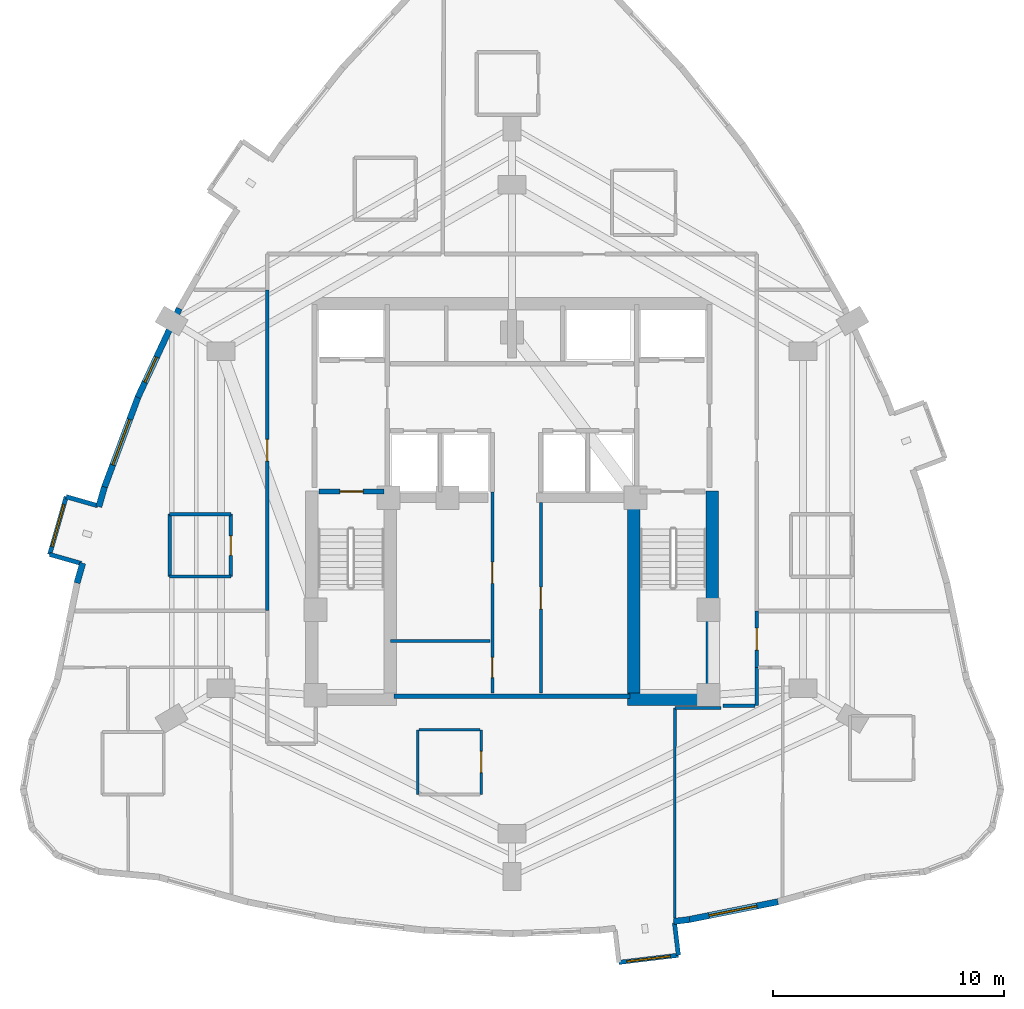
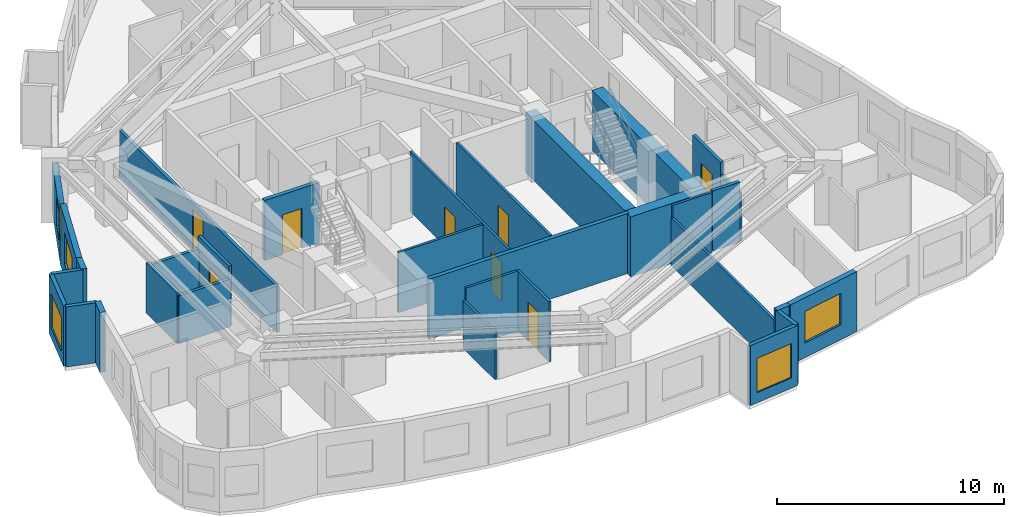
# One storey, part 4 of 9: 32 walls, 8 doors, 5 windows, 13 openings.
"""IFC4 building model written with IfcOpenShell, lengths in metres."""

from ifc_helpers import new_model, si_unit, direction, frame, frame_2d, origin, place, context, subcontext, project, spatial, rectangle, extrude, material, layer, layer_set, type_object, element, fill, save


model = new_model("IFC4")

# Units and contexts
model_context = context("Model", 3, precision=1e-05, world=origin(), true_north=direction((0.0, 1.0)))
body_context = subcontext(model_context, "Body", "Model", "MODEL_VIEW")
ifc_project = project(units=[si_unit("LENGTHUNIT", "METRE"), si_unit("AREAUNIT", "SQUARE_METRE"), si_unit("VOLUMEUNIT", "CUBIC_METRE"), si_unit("PLANEANGLEUNIT", "RADIAN"), si_unit("MASSUNIT", "GRAM", prefix="KILO")], contexts=[model_context])

# Site, building, storey
site_placement = place(None, origin())
site = spatial("IfcSite", under=ifc_project, at=site_placement, CompositionType="ELEMENT")
building_placement = place(site_placement, origin())
building = spatial("IfcBuilding", under=site, at=building_placement, Name="Miruveldt Soraemaru", CompositionType="ELEMENT")
storey_placement = place(building_placement, frame((0.0, 0.0, 170.39990234375)))
storey = spatial("IfcBuildingStorey", under=building, at=storey_placement, Name="L47", CompositionType="ELEMENT", Elevation=170.39990234375)

# Walls
ifc_material_1 = material(Name="White powder-coated aluminium EN AW-6060 T6", Category="aluminium")
ifc_layer_1 = layer(ifc_material_1, 0.18994140625, Name="White powder-coated aluminium EN AW-6060 T6", Category="aluminium")
ifc_layer_set_1 = layer_set([ifc_layer_1], Name="White powder-coated aluminium EN AW-6060 T6")
wall_type_1 = type_object("IfcWallType", Name="WALL-BAY-ALU190", PredefinedType="SOLIDWALL", material=ifc_layer_set_1)
wall_1_placement = place(storey_placement, frame((26.06591796875, 43.7041015625, 0.0), z_axis=(0.0, 0.0, 1.0), x_axis=(-0.961439844578, 0.275015318223, 0.0)))
element("IfcWall", 1, at=wall_1_placement, inside=storey, type_object=wall_type_1, Name="L47 Bay Window Side Cheek 2L", PredefinedType="SOLIDWALL", context=body_context, shape_type="SweptSolid", body=[
    extrude(rectangle(XDim=1.4248046875, YDim=0.18994140625, at=frame_2d((0.71240234375, 0.0))), origin(), (0.0, 0.0, 1.0), 3.235107421875),
])
wall_2_placement = place(storey_placement, frame((23.98095703125, 41.59619140625, 0.0), z_axis=(0.0, 0.0, 1.0), x_axis=(0.961452801096, -0.274970018845, 0.0)))
element("IfcWall", 2, at=wall_2_placement, inside=storey, type_object=wall_type_1, Name="L47 Bay Window Side Cheek 2R", PredefinedType="SOLIDWALL", context=body_context, shape_type="SweptSolid", body=[
    extrude(rectangle(XDim=1.425048828125, YDim=0.18994140625, at=frame_2d((0.71240234375, 0.0))), origin(), (0.0, 0.0, 1.0), 3.235107421875),
])

# Wall, opening, window
wall_3_placement = place(storey_placement, frame((24.696044921875, 44.095947265625, 0.0), z_axis=(0.0, 0.0, 1.0), x_axis=(-0.275031158597, -0.961435313373, 0.0)))
wall_3 = element("IfcWall", 3, at=wall_3_placement, inside=storey, type_object=wall_type_1, Name="L47 Bay Window Front Frame 2", PredefinedType="SOLIDWALL", context=body_context, shape_type="SweptSolid", body=[
    extrude(rectangle(XDim=2.60009765625, YDim=0.18994140625, at=frame_2d((1.300048828125, 0.0))), origin(), (0.0, 0.0, 1.0), 3.235107421875),
])
opening_1_placement = place(wall_3_placement, frame((0.35009765625, 0.0, 0.550048828125)))
opening_1 = element("IfcOpeningElement", 4, at=opening_1_placement, cuts=wall_3, Name="Opening WN-6", PredefinedType="OPENING", context=body_context, shape_type="SweptSolid", body=[
    extrude(rectangle(XDim=1.89990234375, YDim=1.85009765625, at=frame_2d((0.949951171875, 0.925048828125))), frame((0.0, 0.10498046875, 0.0), z_axis=(0.0, -1.0, 0.0), x_axis=(1.0, 0.0, 0.0)), (0.0, 0.0, 1.0), 0.2099609375),
])
ifc_material_2 = material(Name="Triple low-e insulated glazing", Category="glass")
window_type_1 = type_object("IfcWindowType", Name="WIN-BAYW-1900x1850", PartitioningType="SINGLE_PANEL", PredefinedType="WINDOW", material=ifc_material_2)
window_1_placement = place(opening_1_placement, origin())
window_1 = element("IfcWindow", 5, at=window_1_placement, inside=storey, type_object=window_type_1, Name="L47 Projecting Bay Window 2", OverallHeight=1.85009765625, OverallWidth=1.89990234375, PartitioningType="SINGLE_PANEL", PredefinedType="WINDOW", context=body_context, shape_type="SweptSolid", body=[
    extrude(rectangle(XDim=1.89990234375, YDim=1.85009765625, at=frame_2d((0.949951171875, 0.925048828125))), frame((0.0, 0.030029296875, 0.0), z_axis=(0.0, -1.0, 0.0), x_axis=(1.0, 0.0, 0.0)), (0.0, 0.0, 1.0), 0.06005859375),
])
fill(opening_1, window_1)

# Wall
wall_4_placement = place(storey_placement, frame((51.205810546875, 24.240478515625, 0.0), z_axis=(0.0, 0.0, 1.0), x_axis=(-0.119057405757, 0.992887372331, 0.0)))
element("IfcWall", 6, at=wall_4_placement, inside=storey, type_object=wall_type_1, Name="L47 Bay Window Side Cheek 3R", PredefinedType="SOLIDWALL", context=body_context, shape_type="SweptSolid", body=[
    extrude(rectangle(XDim=1.42529296875, YDim=0.18994140625, at=frame_2d((0.712646484375, 0.0))), origin(), (0.0, 0.0, 1.0), 3.235107421875),
])

# Wall, opening, window
wall_5_placement = place(storey_placement, frame((48.62451171875, 23.930908203125, 0.0), z_axis=(0.0, 0.0, 1.0), x_axis=(0.992885278793, 0.119074863663, 0.0)))
wall_5 = element("IfcWall", 7, at=wall_5_placement, inside=storey, type_object=wall_type_1, Name="L47 Bay Window Front Frame 3", PredefinedType="SOLIDWALL", context=body_context, shape_type="SweptSolid", body=[
    extrude(rectangle(XDim=2.599853515625, YDim=0.18994140625, at=frame_2d((1.2998046875, 0.0))), origin(), (0.0, 0.0, 1.0), 3.235107421875),
])
opening_2_placement = place(wall_5_placement, frame((0.35009765625, 0.0, 0.550048828125)))
opening_2 = element("IfcOpeningElement", 8, at=opening_2_placement, cuts=wall_5, Name="Opening WN-6", PredefinedType="OPENING", context=body_context, shape_type="SweptSolid", body=[
    extrude(rectangle(XDim=1.89990234375, YDim=1.85009765625, at=frame_2d((0.949951171875, 0.925048828125))), frame((0.0, 0.10498046875, 0.0), z_axis=(0.0, -1.0, 0.0), x_axis=(1.0, 0.0, 0.0)), (0.0, 0.0, 1.0), 0.2099609375),
])
window_2_placement = place(opening_2_placement, origin())
window_2 = element("IfcWindow", 9, at=window_2_placement, inside=storey, type_object=window_type_1, Name="L47 Projecting Bay Window 3", OverallHeight=1.85009765625, OverallWidth=1.89990234375, PartitioningType="SINGLE_PANEL", PredefinedType="WINDOW", context=body_context, shape_type="SweptSolid", body=[
    extrude(rectangle(XDim=1.89990234375, YDim=1.85009765625, at=frame_2d((0.949951171875, 0.925048828125))), frame((0.0, 0.030029296875, 0.0), z_axis=(0.0, -1.0, 0.0), x_axis=(1.0, 0.0, 0.0)), (0.0, 0.0, 1.0), 0.06005859375),
])
fill(opening_2, window_2)

# Walls
ifc_material_3 = material(Name="Concrete C70/85 (70 MPa)", Category="concrete")
ifc_layer_2 = layer(ifc_material_3, 0.550048828125, Name="Concrete C70/85 (70 MPa)", Category="concrete")
ifc_layer_set_2 = layer_set([ifc_layer_2], Name="Concrete C70/85 (70 MPa)")
wall_type_2 = type_object("IfcWallType", Name="WALL-CW-550", PredefinedType="SHEAR", material=ifc_layer_set_2)
wall_6_placement = place(storey_placement, frame((49.0, 35.324951171875, 0.0), z_axis=(0.0, 0.0, 1.0), x_axis=(1.0, 0.0, 0.0)))
element("IfcWall", 10, at=wall_6_placement, inside=storey, type_object=wall_type_2, Name="L47 Central Core Shear Wall S2", PredefinedType="SHEAR", context=body_context, shape_type="SweptSolid", body=[
    extrude(rectangle(XDim=3.949951171875, YDim=0.550048828125, at=frame_2d((1.97509765625, 0.0))), origin(), (0.0, 0.0, 1.0), 3.235107421875),
])
wall_7_placement = place(storey_placement, frame((52.675048828125, 35.050048828125, 0.0), z_axis=(0.0, 0.0, 1.0), x_axis=(0.0, 1.0, 0.0)))
element("IfcWall", 11, at=wall_7_placement, inside=storey, type_object=wall_type_2, Name="L47 Central Core Shear Wall E1", PredefinedType="SHEAR", context=body_context, shape_type="SweptSolid", body=[
    extrude(rectangle(XDim=9.300048828125, YDim=0.550048828125, at=frame_2d((4.64990234375, 0.0))), origin(), (0.0, 0.0, 1.0), 3.235107421875),
])
wall_8_placement = place(storey_placement, frame((49.27490234375, 35.39990234375, 0.0), z_axis=(0.0, 0.0, 1.0), x_axis=(0.0, 1.0, 0.0)))
element("IfcWall", 12, at=wall_8_placement, inside=storey, type_object=wall_type_2, Name="L47 Central Core Shear Wall SE-INT", PredefinedType="SHEAR", context=body_context, shape_type="SweptSolid", body=[
    extrude(rectangle(XDim=8.9501953125, YDim=0.550048828125, at=frame_2d((4.47509765625, 0.0))), origin(), (0.0, 0.0, 1.0), 3.235107421875),
])

# Wall, opening, window
ifc_material_4 = material(Name="Precast concrete C45/55 (45 MPa)", Category="concrete")
ifc_layer_3 = layer(ifc_material_4, 0.27001953125, Name="Precast concrete C45/55 (45 MPa)", Category="concrete")
ifc_layer_set_3 = layer_set([ifc_layer_3], Name="Precast concrete C45/55 (45 MPa)")
wall_type_3 = type_object("IfcWallType", Name="WALL-EXT-PC270", PredefinedType="SOLIDWALL", material=ifc_layer_set_3)
wall_9_placement = place(storey_placement, frame((29.59375, 52.245361328125, 0.0), z_axis=(0.0, 0.0, 1.0), x_axis=(-0.422331680963, -0.906441366694, 0.0)))
wall_9 = element("IfcWall", 13, at=wall_9_placement, inside=storey, type_object=wall_type_3, Name="L47 Precast Concrete Facade Wall 11", PredefinedType="SOLIDWALL", context=body_context, shape_type="SweptSolid", body=[
    extrude(rectangle(XDim=4.248291015625, YDim=0.27001953125, at=frame_2d((2.1240234375, 0.0))), origin(), (0.0, 0.0, 1.0), 2.572998046875),
])
opening_3_placement = place(wall_9_placement, frame((2.323974609375, 0.0, 0.780029296875)))
opening_3 = element("IfcOpeningElement", 14, at=opening_3_placement, cuts=wall_9, Name="Opening WN-4", PredefinedType="OPENING", context=body_context, shape_type="SweptSolid", body=[
    extrude(rectangle(XDim=1.199951171875, YDim=1.550048828125, at=frame_2d((0.60009765625, 0.77490234375))), frame((0.0, 0.14501953125, 0.0), z_axis=(0.0, -1.0, 0.0), x_axis=(1.0, 0.0, 0.0)), (0.0, 0.0, 1.0), 0.2900390625),
])
window_type_2 = type_object("IfcWindowType", Name="WIN-PUNCH-1200x1550", PartitioningType="SINGLE_PANEL", PredefinedType="WINDOW", material=ifc_material_2)
window_3_placement = place(opening_3_placement, origin())
window_3 = element("IfcWindow", 15, at=window_3_placement, inside=storey, type_object=window_type_2, Name="L47 Punched Triple-Glazed Window 11.1", OverallHeight=1.550048828125, OverallWidth=1.199951171875, PartitioningType="SINGLE_PANEL", PredefinedType="WINDOW", context=body_context, shape_type="SweptSolid", body=[
    extrude(rectangle(XDim=1.199951171875, YDim=1.550048828125, at=frame_2d((0.60009765625, 0.77490234375))), frame((0.0, 0.030029296875, 0.0), z_axis=(0.0, -1.0, 0.0), x_axis=(1.0, 0.0, 0.0)), (0.0, 0.0, 1.0), 0.06005859375),
])
fill(opening_3, window_3)

wall_10_placement = place(storey_placement, frame((27.82666015625, 48.458984375, 0.0), z_axis=(0.0, 0.0, 1.0), x_axis=(-0.349019533754, -0.937115449162, 0.0)))
wall_10 = element("IfcWall", 16, at=wall_10_placement, inside=storey, type_object=wall_type_3, Name="L47 Precast Concrete Facade Wall 12", PredefinedType="SOLIDWALL", context=body_context, shape_type="SweptSolid", body=[
    extrude(rectangle(XDim=4.274658203125, YDim=0.27001953125, at=frame_2d((2.13720703125, 0.0))), origin(), (0.0, 0.0, 1.0), 3.235107421875),
])
opening_4_placement = place(wall_10_placement, frame((1.0869140625, 0.0, 0.800048828125)))
opening_4 = element("IfcOpeningElement", 17, at=opening_4_placement, cuts=wall_10, Name="Opening WN-1", PredefinedType="OPENING", context=body_context, shape_type="SweptSolid", body=[
    extrude(rectangle(XDim=2.10009765625, YDim=1.699951171875, at=frame_2d((1.050048828125, 0.85009765625))), frame((0.0, 0.14501953125, 0.0), z_axis=(0.0, -1.0, 0.0), x_axis=(1.0, 0.0, 0.0)), (0.0, 0.0, 1.0), 0.2900390625),
])
window_type_3 = type_object("IfcWindowType", Name="WIN-PUNCH-2100x1700", PartitioningType="SINGLE_PANEL", PredefinedType="WINDOW", material=ifc_material_2)
window_4_placement = place(opening_4_placement, origin())
window_4 = element("IfcWindow", 18, at=window_4_placement, inside=storey, type_object=window_type_3, Name="L47 Punched Triple-Glazed Window 12.1", OverallHeight=1.699951171875, OverallWidth=2.10009765625, PartitioningType="SINGLE_PANEL", PredefinedType="WINDOW", context=body_context, shape_type="SweptSolid", body=[
    extrude(rectangle(XDim=2.10009765625, YDim=1.699951171875, at=frame_2d((1.050048828125, 0.85009765625))), frame((0.0, 0.030029296875, 0.0), z_axis=(0.0, -1.0, 0.0), x_axis=(1.0, 0.0, 0.0)), (0.0, 0.0, 1.0), 0.06005859375),
])
fill(opening_4, window_4)

# Walls
for number, where, z_axis, x_axis, name in (
    (19, (26.3564453125, 44.51953125, 0.0), (0.0, 0.0, 1.0), (-0.275045780768, -0.961431130389, 0.0), "L47 Precast Pier Wall 13A"),
    (20, (25.412109375, 41.218017578125, 0.0), (0.0, 0.0, 1.0), (-0.274793281104, -0.961503329511, 0.0), "L47 Precast Pier Wall 13B"),
):
    element("IfcWall", number, at=place(storey_placement, frame(where, z_axis=z_axis, x_axis=x_axis)), inside=storey, type_object=wall_type_3, Name=name, PredefinedType="SOLIDWALL", context=body_context, shape_type="SweptSolid", body=[
        extrude(rectangle(XDim=0.893798828125, YDim=0.27001953125, at=frame_2d((0.44677734375, 0.0))), origin(), (0.0, 0.0, 1.0), 3.235107421875),
    ])
wall_11_placement = place(storey_placement, frame((50.999755859375, 25.706298828125, 0.0), z_axis=(0.0, 0.0, 1.0), x_axis=(0.992858455282, 0.119298314215, 0.0)))
element("IfcWall", 21, at=wall_11_placement, inside=storey, type_object=wall_type_3, Name="L47 Precast Pier Wall 26B", PredefinedType="SOLIDWALL", context=body_context, shape_type="SweptSolid", body=[
    extrude(rectangle(XDim=0.691650390625, YDim=0.27001953125, at=frame_2d((0.345703125, 0.0))), origin(), (0.0, 0.0, 1.0), 3.235107421875),
])

# Wall, opening, window
wall_12_placement = place(storey_placement, frame((51.617431640625, 25.77783203125, 0.0), z_axis=(0.0, 0.0, 1.0), x_axis=(0.980573582327, 0.196151598621, 0.0)))
wall_12 = element("IfcWall", 22, at=wall_12_placement, inside=storey, type_object=wall_type_3, Name="L47 Precast Concrete Facade Wall 27", PredefinedType="SOLIDWALL", context=body_context, shape_type="SweptSolid", body=[
    extrude(rectangle(XDim=3.9716796875, YDim=0.27001953125, at=frame_2d((1.98583984375, 0.0))), origin(), (0.0, 0.0, 1.0), 3.235107421875),
])
opening_5_placement = place(wall_12_placement, frame((0.93408203125, 0.0, 0.800048828125)))
opening_5 = element("IfcOpeningElement", 23, at=opening_5_placement, cuts=wall_12, Name="Opening WN-1", PredefinedType="OPENING", context=body_context, shape_type="SweptSolid", body=[
    extrude(rectangle(XDim=2.10009765625, YDim=1.699951171875, at=frame_2d((1.050048828125, 0.85009765625))), frame((0.0, 0.14501953125, 0.0), z_axis=(0.0, -1.0, 0.0), x_axis=(1.0, 0.0, 0.0)), (0.0, 0.0, 1.0), 0.2900390625),
])
window_5_placement = place(opening_5_placement, origin())
window_5 = element("IfcWindow", 24, at=window_5_placement, inside=storey, type_object=window_type_3, Name="L47 Punched Triple-Glazed Window 27.1", OverallHeight=1.699951171875, OverallWidth=2.10009765625, PartitioningType="SINGLE_PANEL", PredefinedType="WINDOW", context=body_context, shape_type="SweptSolid", body=[
    extrude(rectangle(XDim=2.10009765625, YDim=1.699951171875, at=frame_2d((1.050048828125, 0.85009765625))), frame((0.0, 0.030029296875, 0.0), z_axis=(0.0, -1.0, 0.0), x_axis=(1.0, 0.0, 0.0)), (0.0, 0.0, 1.0), 0.06005859375),
])
fill(opening_5, window_5)

# Wall, openings, doors
ifc_material_5 = material(Name="Gypsum plasterboard lining", Category="gypsum")
ifc_layer_4 = layer(ifc_material_5, 0.1201171875, Name="Gypsum plasterboard lining", Category="gypsum")
ifc_layer_set_4 = layer_set([ifc_layer_4], Name="Gypsum plasterboard lining")
wall_type_4 = type_object("IfcWallType", Name="WALL-INT-P120", PredefinedType="PARTITIONING", material=ifc_layer_set_4)
wall_13_placement = place(storey_placement, frame((43.14990234375, 35.60009765625, 0.0), z_axis=(0.0, 0.0, 1.0), x_axis=(0.0, 1.0, 0.0)))
wall_13 = element("IfcWall", 25, at=wall_13_placement, inside=storey, type_object=wall_type_4, Name="L47 Core Compartment Wall SP-WL", PredefinedType="PARTITIONING", context=body_context, shape_type="SweptSolid", body=[
    extrude(rectangle(XDim=8.699951171875, YDim=0.1201171875, at=frame_2d((4.35009765625, 0.0))), origin(), (0.0, 0.0, 1.0), 3.235107421875),
])
opening_6_placement = place(wall_13_placement, frame((0.659912109375, 0.0, 0.0)))
opening_6 = element("IfcOpeningElement", 26, at=opening_6_placement, cuts=wall_13, Name="Opening D4", PredefinedType="OPENING", context=body_context, shape_type="SweptSolid", body=[
    extrude(rectangle(XDim=0.8798828125, YDim=2.10009765625, at=frame_2d((0.43994140625, 1.050048828125))), frame((0.0, 0.070068359375, 0.0), z_axis=(0.0, -1.0, 0.0), x_axis=(1.0, 0.0, 0.0)), (0.0, 0.0, 1.0), 0.14013671875),
])
opening_7_placement = place(wall_13_placement, frame((4.739990234375, 0.0, 0.0)))
opening_7 = element("IfcOpeningElement", 27, at=opening_7_placement, cuts=wall_13, Name="Opening D3A", PredefinedType="OPENING", context=body_context, shape_type="SweptSolid", body=[
    extrude(rectangle(XDim=0.919921875, YDim=2.10009765625, at=frame_2d((0.4599609375, 1.050048828125))), frame((0.0, 0.070068359375, 0.0), z_axis=(0.0, -1.0, 0.0), x_axis=(1.0, 0.0, 0.0)), (0.0, 0.0, 1.0), 0.14013671875),
])
ifc_material_6 = material(Name="Anodised aluminium EN AW-6063 T6", Category="aluminium")
door_type_1 = type_object("IfcDoorType", Name="DOOR-INT-880", OperationType="NOTDEFINED", PredefinedType="DOOR", material=ifc_material_6)
door_1_placement = place(opening_6_placement, origin())
door_1 = element("IfcDoor", 28, at=door_1_placement, inside=storey, type_object=door_type_1, Name="L47 Fire Door", OperationType="SINGLE_SWING_LEFT", OverallHeight=2.10009765625, OverallWidth=0.8798828125, PredefinedType="DOOR", context=body_context, shape_type="SweptSolid", body=[
    extrude(rectangle(XDim=0.8798828125, YDim=2.10009765625, at=frame_2d((0.43994140625, 1.050048828125))), frame((0.0, 0.02490234375, 0.0), z_axis=(0.0, -1.0, 0.0), x_axis=(1.0, 0.0, 0.0)), (0.0, 0.0, 1.0), 0.050048828125),
])
fill(opening_6, door_1)
door_type_2 = type_object("IfcDoorType", Name="DOOR-INT-920", OperationType="NOTDEFINED", PredefinedType="DOOR", material=ifc_material_6)
door_2_placement = place(opening_7_placement, origin())
door_2 = element("IfcDoor", 29, at=door_2_placement, inside=storey, type_object=door_type_2, Name="L47 Fire Door", OperationType="SINGLE_SWING_LEFT", OverallHeight=2.10009765625, OverallWidth=0.919921875, PredefinedType="DOOR", context=body_context, shape_type="SweptSolid", body=[
    extrude(rectangle(XDim=0.919921875, YDim=2.10009765625, at=frame_2d((0.4599609375, 1.050048828125))), frame((0.0, 0.02490234375, 0.0), z_axis=(0.0, -1.0, 0.0), x_axis=(1.0, 0.0, 0.0)), (0.0, 0.0, 1.0), 0.050048828125),
])
fill(opening_7, door_2)

# Wall, opening, door
wall_14_placement = place(storey_placement, frame((45.25, 35.60009765625, 0.0), z_axis=(0.0, 0.0, 1.0), x_axis=(0.0, 1.0, 0.0)))
wall_14 = element("IfcWall", 30, at=wall_14_placement, inside=storey, type_object=wall_type_4, Name="L47 Core Compartment Wall SP-EL", PredefinedType="PARTITIONING", context=body_context, shape_type="SweptSolid", body=[
    extrude(rectangle(XDim=8.25, YDim=0.1201171875, at=frame_2d((4.125, 0.0))), origin(), (0.0, 0.0, 1.0), 3.235107421875),
])
opening_8_placement = place(wall_14_placement, frame((3.625, 0.0, 0.0)))
opening_8 = element("IfcOpeningElement", 31, at=opening_8_placement, cuts=wall_14, Name="Opening D2", PredefinedType="OPENING", context=body_context, shape_type="SweptSolid", body=[
    extrude(rectangle(XDim=0.949951171875, YDim=2.10009765625, at=frame_2d((0.47509765625, 1.050048828125))), frame((0.0, 0.070068359375, 0.0), z_axis=(0.0, -1.0, 0.0), x_axis=(1.0, 0.0, 0.0)), (0.0, 0.0, 1.0), 0.14013671875),
])
door_type_3 = type_object("IfcDoorType", Name="DOOR-INT-950", OperationType="NOTDEFINED", PredefinedType="DOOR", material=ifc_material_6)
door_3_placement = place(opening_8_placement, origin())
door_3 = element("IfcDoor", 32, at=door_3_placement, inside=storey, type_object=door_type_3, Name="L47 Fire Door", OperationType="SINGLE_SWING_LEFT", OverallHeight=2.10009765625, OverallWidth=0.949951171875, PredefinedType="DOOR", context=body_context, shape_type="SweptSolid", body=[
    extrude(rectangle(XDim=0.949951171875, YDim=2.10009765625, at=frame_2d((0.47509765625, 1.050048828125))), frame((0.0, 0.02490234375, 0.0), z_axis=(0.0, -1.0, 0.0), x_axis=(1.0, 0.0, 0.0)), (0.0, 0.0, 1.0), 0.050048828125),
])
fill(opening_8, door_3)

wall_15_placement = place(storey_placement, frame((42.6669921875, 31.205078125, 0.0), z_axis=(0.0, 0.0, 1.0), x_axis=(0.0, 1.0, 0.0)))
wall_15 = element("IfcWall", 33, at=wall_15_placement, inside=storey, type_object=wall_type_4, Name="L47 Partition Wall 26", PredefinedType="PARTITIONING", context=body_context, shape_type="SweptSolid", body=[
    extrude(rectangle(XDim=2.7998046875, YDim=0.1201171875, at=frame_2d((1.39990234375, 0.0))), origin(), (0.0, 0.0, 1.0), 3.235107421875),
])
opening_9_placement = place(wall_15_placement, frame((0.93994140625, 0.0, 0.0)))
opening_9 = element("IfcOpeningElement", 34, at=opening_9_placement, cuts=wall_15, Name="Opening D3A", PredefinedType="OPENING", context=body_context, shape_type="SweptSolid", body=[
    extrude(rectangle(XDim=0.919921875, YDim=2.10009765625, at=frame_2d((0.4599609375, 1.050048828125))), frame((0.0, 0.070068359375, 0.0), z_axis=(0.0, -1.0, 0.0), x_axis=(1.0, 0.0, 0.0)), (0.0, 0.0, 1.0), 0.14013671875),
])
door_4_placement = place(opening_9_placement, origin())
door_4 = element("IfcDoor", 35, at=door_4_placement, inside=storey, type_object=door_type_2, Name="L47 Unit 4703 KIT Door", OperationType="SINGLE_SWING_RIGHT", OverallHeight=2.10009765625, OverallWidth=0.919921875, PredefinedType="DOOR", context=body_context, shape_type="SweptSolid", body=[
    extrude(rectangle(XDim=0.919921875, YDim=2.10009765625, at=frame_2d((0.4599609375, 1.050048828125))), frame((0.0, 0.02490234375, 0.0), z_axis=(0.0, -1.0, 0.0), x_axis=(1.0, 0.0, 0.0)), (0.0, 0.0, 1.0), 0.050048828125),
])
fill(opening_9, door_4)

# Walls
wall_16_placement = place(storey_placement, frame((51.044921875, 25.863037109375, 0.0), z_axis=(0.0, 0.0, 1.0), x_axis=(0.000886619748, 0.999999606953, 0.0)))
element("IfcWall", 36, at=wall_16_placement, inside=storey, type_object=wall_type_4, Name="L47 Partition Wall 59", PredefinedType="PARTITIONING", context=body_context, shape_type="SweptSolid", body=[
    extrude(rectangle(XDim=9.0869140625, YDim=0.1201171875, at=frame_2d((4.54345703125, 0.0))), origin(), (0.0, 0.0, 1.0), 2.572998046875),
])
wall_17_placement = place(storey_placement, frame((38.75, 37.85009765625, 0.0), z_axis=(0.0, 0.0, 1.0), x_axis=(1.0, 0.0, 0.0)))
element("IfcWall", 37, at=wall_17_placement, inside=storey, type_object=wall_type_4, Name="L47 Core Compartment Wall RL-W1H", PredefinedType="PARTITIONING", context=body_context, shape_type="SweptSolid", body=[
    extrude(rectangle(XDim=4.300048828125, YDim=0.1201171875, at=frame_2d((2.14990234375, 0.0))), origin(), (0.0, 0.0, 1.0), 3.235107421875),
])
wall_18_placement = place(storey_placement, frame((39.9169921875, 34.0048828125, 0.0), z_axis=(0.0, 0.0, 1.0), x_axis=(0.0, -1.0, 0.0)))
element("IfcWall", 38, at=wall_18_placement, inside=storey, type_object=wall_type_4, Name="L47 Partition Wall 28", PredefinedType="PARTITIONING", context=body_context, shape_type="SweptSolid", body=[
    extrude(rectangle(XDim=2.7998046875, YDim=0.1201171875, at=frame_2d((1.39990234375, 0.0))), origin(), (0.0, 0.0, 1.0), 2.572998046875),
])
wall_19_placement = place(storey_placement, frame((42.60693359375, 34.0048828125, 0.0), z_axis=(0.0, 0.0, 1.0), x_axis=(-1.0, 0.0, 0.0)))
element("IfcWall", 39, at=wall_19_placement, inside=storey, type_object=wall_type_4, Name="L47 Partition Wall 27", PredefinedType="PARTITIONING", context=body_context, shape_type="SweptSolid", body=[
    extrude(rectangle(XDim=2.6298828125, YDim=0.1201171875, at=frame_2d((1.31494140625, 0.0))), origin(), (0.0, 0.0, 1.0), 3.235107421875),
])
wall_20_placement = place(storey_placement, frame((51.052978515625, 34.949951171875, 0.0), z_axis=(0.0, 0.0, 1.0), x_axis=(1.0, 0.0, 0.0)))
element("IfcWall", 40, at=wall_20_placement, inside=storey, type_object=wall_type_4, Name="L47 Partition Wall 60", PredefinedType="PARTITIONING", context=body_context, shape_type="SweptSolid", body=[
    extrude(rectangle(XDim=1.9970703125, YDim=0.1201171875, at=frame_2d((0.99853515625, 0.0))), origin(), (0.0, 0.0, 1.0), 3.235107421875),
])

# Wall, opening, door
ifc_layer_5 = layer(ifc_material_5, 0.14990234375, Name="Gypsum plasterboard lining", Category="gypsum")
ifc_layer_set_5 = layer_set([ifc_layer_5], Name="Gypsum plasterboard lining")
wall_type_5 = type_object("IfcWallType", Name="WALL-INT-PLUMB", PredefinedType="PLUMBINGWALL", material=ifc_layer_set_5)
wall_21_placement = place(storey_placement, frame((31.824951171875, 40.64111328125, 0.0), z_axis=(0.0, 0.0, 1.0), x_axis=(0.0, 1.0, 0.0)))
wall_21 = element("IfcWall", 41, at=wall_21_placement, inside=storey, type_object=wall_type_5, Name="L47 Partition Wall 36", PredefinedType="PLUMBINGWALL", context=body_context, shape_type="SweptSolid", body=[
    extrude(rectangle(XDim=2.699951171875, YDim=0.14990234375, at=frame_2d((1.35009765625, 0.0))), origin(), (0.0, 0.0, 1.0), 3.235107421875),
])
opening_10_placement = place(wall_21_placement, frame((0.909912109375, 0.0, 0.0)))
opening_10 = element("IfcOpeningElement", 42, at=opening_10_placement, cuts=wall_21, Name="Opening FD3", PredefinedType="OPENING", context=body_context, shape_type="SweptSolid", body=[
    extrude(rectangle(XDim=0.85009765625, YDim=2.10009765625, at=frame_2d((0.425048828125, 1.050048828125))), frame((0.0, 0.0849609375, 0.0), z_axis=(0.0, -1.0, 0.0), x_axis=(1.0, 0.0, 0.0)), (0.0, 0.0, 1.0), 0.169921875),
])
door_type_4 = type_object("IfcDoorType", Name="DOOR-FD3-850", OperationType="NOTDEFINED", PredefinedType="DOOR", material=ifc_material_6)
door_5_placement = place(opening_10_placement, origin())
door_5 = element("IfcDoor", 43, at=door_5_placement, inside=storey, type_object=door_type_4, Name="L47 Unit CL04 BTH Door", OperationType="SINGLE_SWING_RIGHT", OverallHeight=2.10009765625, OverallWidth=0.85009765625, PredefinedType="DOOR", context=body_context, shape_type="SweptSolid", body=[
    extrude(rectangle(XDim=0.85009765625, YDim=2.10009765625, at=frame_2d((0.425048828125, 1.050048828125))), frame((0.0, 0.02490234375, 0.0), z_axis=(0.0, -1.0, 0.0), x_axis=(1.0, 0.0, 0.0)), (0.0, 0.0, 1.0), 0.050048828125),
])
fill(opening_10, door_5)

# Walls
wall_22_placement = place(storey_placement, frame((29.175048828125, 43.341064453125, 0.0), z_axis=(0.0, 0.0, 1.0), x_axis=(0.0, -1.0, 0.0)))
element("IfcWall", 44, at=wall_22_placement, inside=storey, type_object=wall_type_5, Name="L47 Partition Wall 38", PredefinedType="PLUMBINGWALL", context=body_context, shape_type="SweptSolid", body=[
    extrude(rectangle(XDim=2.699951171875, YDim=0.14990234375, at=frame_2d((1.35009765625, 0.0))), origin(), (0.0, 0.0, 1.0), 2.72314453125),
])
for number, where, z_axis, x_axis, name in (
    (45, (31.824951171875, 43.341064453125, 0.0), (0.0, 0.0, 1.0), (-1.0, 0.0, 0.0), "L47 Partition Wall 37"),
    (46, (29.175048828125, 40.64111328125, 0.0), (0.0, 0.0, 1.0), (1.0, 0.0, 0.0), "L47 Partition Wall 39"),
):
    element("IfcWall", number, at=place(storey_placement, frame(where, z_axis=z_axis, x_axis=x_axis)), inside=storey, type_object=wall_type_5, Name=name, PredefinedType="PLUMBINGWALL", context=body_context, shape_type="SweptSolid", body=[
        extrude(rectangle(XDim=2.64990234375, YDim=0.14990234375, at=frame_2d((1.324951171875, 0.0))), origin(), (0.0, 0.0, 1.0), 2.572998046875),
    ])

# Wall, opening, door
ifc_material_7 = material(Name="Concrete C40/50 (40 MPa)", Category="concrete")
ifc_layer_6 = layer(ifc_material_7, 0.159912109375, Name="Concrete C40/50 (40 MPa)", Category="concrete")
ifc_layer_set_6 = layer_set([ifc_layer_6], Name="Concrete C40/50 (40 MPa)")
wall_type_6 = type_object("IfcWallType", Name="WALL-INT-RC160", PredefinedType="SOLIDWALL", material=ifc_layer_set_6)
wall_23_placement = place(storey_placement, frame((33.39990234375, 53.050048828125, 0.0), z_axis=(0.0, 0.0, 1.0), x_axis=(0.0, -1.0, 0.0)))
wall_23 = element("IfcWall", 47, at=wall_23_placement, inside=storey, type_object=wall_type_6, Name="L47 Partition Wall 8", PredefinedType="SOLIDWALL", context=body_context, shape_type="SweptSolid", body=[
    extrude(rectangle(XDim=13.88916015625, YDim=0.159912109375, at=frame_2d((6.944580078125, 0.0))), origin(), (0.0, 0.0, 1.0), 2.47314453125),
])
opening_11_placement = place(wall_23_placement, frame((6.468994140625, 0.0, 0.0)))
opening_11 = element("IfcOpeningElement", 48, at=opening_11_placement, cuts=wall_23, Name="Opening FD2", PredefinedType="OPENING", context=body_context, shape_type="SweptSolid", body=[
    extrude(rectangle(XDim=0.949951171875, YDim=2.14990234375, at=frame_2d((0.47509765625, 1.074951171875))), frame((0.0, 0.08984375, 0.0), z_axis=(0.0, -1.0, 0.0), x_axis=(1.0, 0.0, 0.0)), (0.0, 0.0, 1.0), 0.179931640625),
])
door_type_5 = type_object("IfcDoorType", Name="DOOR-FD2-950", OperationType="NOTDEFINED", PredefinedType="DOOR", material=ifc_material_6)
door_6_placement = place(opening_11_placement, origin())
door_6 = element("IfcDoor", 49, at=door_6_placement, inside=storey, type_object=door_type_5, Name="L47 Unit CL04 Entrance Fire Door", OperationType="SINGLE_SWING_LEFT", OverallHeight=2.14990234375, OverallWidth=0.949951171875, PredefinedType="DOOR", context=body_context, shape_type="SweptSolid", body=[
    extrude(rectangle(XDim=0.949951171875, YDim=2.14990234375, at=frame_2d((0.47509765625, 1.074951171875))), frame((0.0, 0.02490234375, 0.0), z_axis=(0.0, -1.0, 0.0), x_axis=(1.0, 0.0, 0.0)), (0.0, 0.0, 1.0), 0.050048828125),
])
fill(opening_11, door_6)

wall_24_placement = place(storey_placement, frame((54.60009765625, 36.7041015625, 0.0), z_axis=(0.0, 0.0, 1.0), x_axis=(0.0, 1.0, 0.0)))
wall_24 = element("IfcWall", 50, at=wall_24_placement, inside=storey, type_object=wall_type_6, Name="L47 Partition Wall 9", PredefinedType="SOLIDWALL", context=body_context, shape_type="SweptSolid", body=[
    extrude(rectangle(XDim=2.44384765625, YDim=0.159912109375, at=frame_2d((1.221923828125, 0.0))), origin(), (0.0, 0.0, 1.0), 3.235107421875),
])
opening_12_placement = place(wall_24_placement, frame((0.7470703125, 0.0, 0.0)))
opening_12 = element("IfcOpeningElement", 51, at=opening_12_placement, cuts=wall_24, Name="Opening FD2", PredefinedType="OPENING", context=body_context, shape_type="SweptSolid", body=[
    extrude(rectangle(XDim=0.949951171875, YDim=2.14990234375, at=frame_2d((0.47509765625, 1.074951171875))), frame((0.0, 0.08984375, 0.0), z_axis=(0.0, -1.0, 0.0), x_axis=(1.0, 0.0, 0.0)), (0.0, 0.0, 1.0), 0.179931640625),
])
door_7_placement = place(opening_12_placement, origin())
door_7 = element("IfcDoor", 52, at=door_7_placement, inside=storey, type_object=door_type_5, Name="L47 Unit 4705 Entrance Fire Door", OperationType="SINGLE_SWING_LEFT", OverallHeight=2.14990234375, OverallWidth=0.949951171875, PredefinedType="DOOR", context=body_context, shape_type="SweptSolid", body=[
    extrude(rectangle(XDim=0.949951171875, YDim=2.14990234375, at=frame_2d((0.47509765625, 1.074951171875))), frame((0.0, 0.02490234375, 0.0), z_axis=(0.0, -1.0, 0.0), x_axis=(1.0, 0.0, 0.0)), (0.0, 0.0, 1.0), 0.050048828125),
])
fill(opening_12, door_7)

# Walls
wall_25_placement = place(storey_placement, frame((54.60009765625, 35.050048828125, 0.0), z_axis=(0.0, 0.0, 1.0), x_axis=(0.0, 1.0, 0.0)))
element("IfcWall", 53, at=wall_25_placement, inside=storey, type_object=wall_type_6, Name="L47 Partition Wall 11", PredefinedType="SOLIDWALL", context=body_context, shape_type="SweptSolid", body=[
    extrude(rectangle(XDim=1.65087890625, YDim=0.159912109375, at=frame_2d((0.825439453125, 0.0))), origin(), (0.0, 0.0, 1.0), 2.572998046875),
])
wall_26_placement = place(storey_placement, frame((53.1298828125, 35.050048828125, 0.0), z_axis=(0.0, 0.0, 1.0), x_axis=(1.0, 0.0, 0.0)))
element("IfcWall", 54, at=wall_26_placement, inside=storey, type_object=wall_type_6, Name="L47 Partition Wall 10", PredefinedType="SOLIDWALL", context=body_context, shape_type="SweptSolid", body=[
    extrude(rectangle(XDim=1.39013671875, YDim=0.159912109375, at=frame_2d((0.695068359375, 0.0))), origin(), (0.0, 0.0, 1.0), 3.235107421875),
])

# Wall, opening, door
ifc_layer_7 = layer(ifc_material_7, 0.199951171875, Name="Concrete C40/50 (40 MPa)", Category="concrete")
ifc_layer_set_7 = layer_set([ifc_layer_7], Name="Concrete C40/50 (40 MPa)")
wall_type_7 = type_object("IfcWallType", Name="WALL-INT-RC200", PredefinedType="SOLIDWALL", material=ifc_layer_set_7)
wall_27_placement = place(storey_placement, frame((35.64990234375, 44.320068359375, 0.0), z_axis=(0.0, 0.0, 1.0), x_axis=(1.0, 0.0, 0.0)))
wall_27 = element("IfcWall", 55, at=wall_27_placement, inside=storey, type_object=wall_type_7, Name="L47 Core Compartment Wall ST1-N", PredefinedType="SOLIDWALL", context=body_context, shape_type="SweptSolid", body=[
    extrude(rectangle(XDim=2.800048828125, YDim=0.199951171875, at=frame_2d((1.39990234375, 0.0))), origin(), (0.0, 0.0, 1.0), 3.235107421875),
])
opening_13_placement = place(wall_27_placement, frame((0.89990234375, 0.0, 0.0)))
opening_13 = element("IfcOpeningElement", 56, at=opening_13_placement, cuts=wall_27, Name="Opening FD1", PredefinedType="OPENING", context=body_context, shape_type="SweptSolid", body=[
    extrude(rectangle(XDim=1.0, YDim=2.14990234375, at=frame_2d((0.5, 1.074951171875))), frame((0.0, 0.10986328125, 0.0), z_axis=(0.0, -1.0, 0.0), x_axis=(1.0, 0.0, 0.0)), (0.0, 0.0, 1.0), 0.219970703125),
])
door_type_6 = type_object("IfcDoorType", Name="DOOR-FD1-1000", OperationType="NOTDEFINED", PredefinedType="DOOR", material=ifc_material_6)
door_8_placement = place(opening_13_placement, frame((1.0, 0.0, 0.0), z_axis=(0.0, 0.0, 1.0), x_axis=(-1.0, 0.0, 0.0)))
door_8 = element("IfcDoor", 57, at=door_8_placement, inside=storey, type_object=door_type_6, Name="L47 Stair ST-1 Fire Door", OperationType="SINGLE_SWING_LEFT", OverallHeight=2.14990234375, OverallWidth=1.0, PredefinedType="DOOR", context=body_context, shape_type="SweptSolid", body=[
    extrude(rectangle(XDim=1.0, YDim=2.14990234375, at=frame_2d((0.5, 1.074951171875))), frame((0.0, 0.02490234375, 0.0), z_axis=(0.0, -1.0, 0.0), x_axis=(1.0, 0.0, 0.0)), (0.0, 0.0, 1.0), 0.050048828125),
])
fill(opening_13, door_8)

# Wall
wall_28_placement = place(storey_placement, frame((38.89990234375, 35.449951171875, 0.0), z_axis=(0.0, 0.0, 1.0), x_axis=(1.0, 0.0, 0.0)))
element("IfcWall", 58, at=wall_28_placement, inside=storey, type_object=wall_type_7, Name="L47 Core Compartment Wall CS-S", PredefinedType="SOLIDWALL", context=body_context, shape_type="SweptSolid", body=[
    extrude(rectangle(XDim=10.2001953125, YDim=0.199951171875, at=frame_2d((5.10009765625, 0.0))), origin(), (0.0, 0.0, 1.0), 3.235107421875),
])

save(model, "model.ifc")
